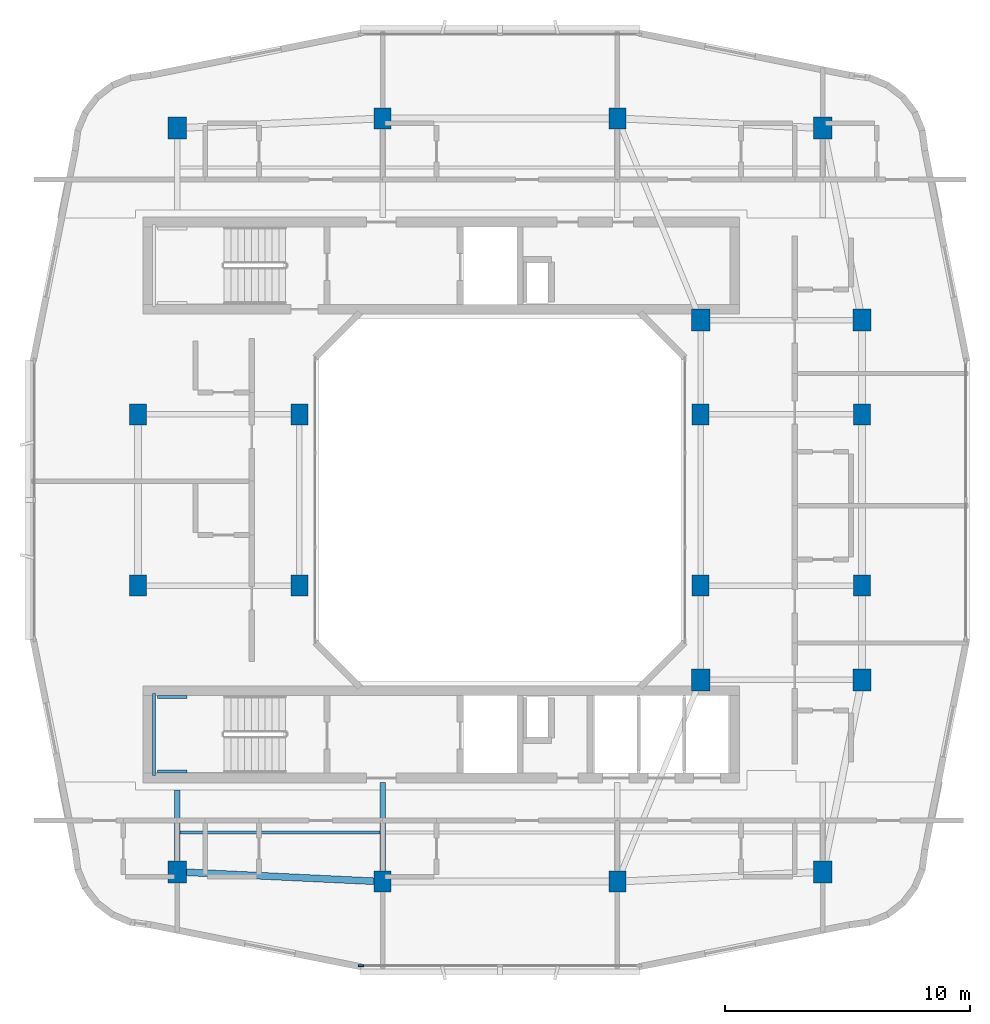
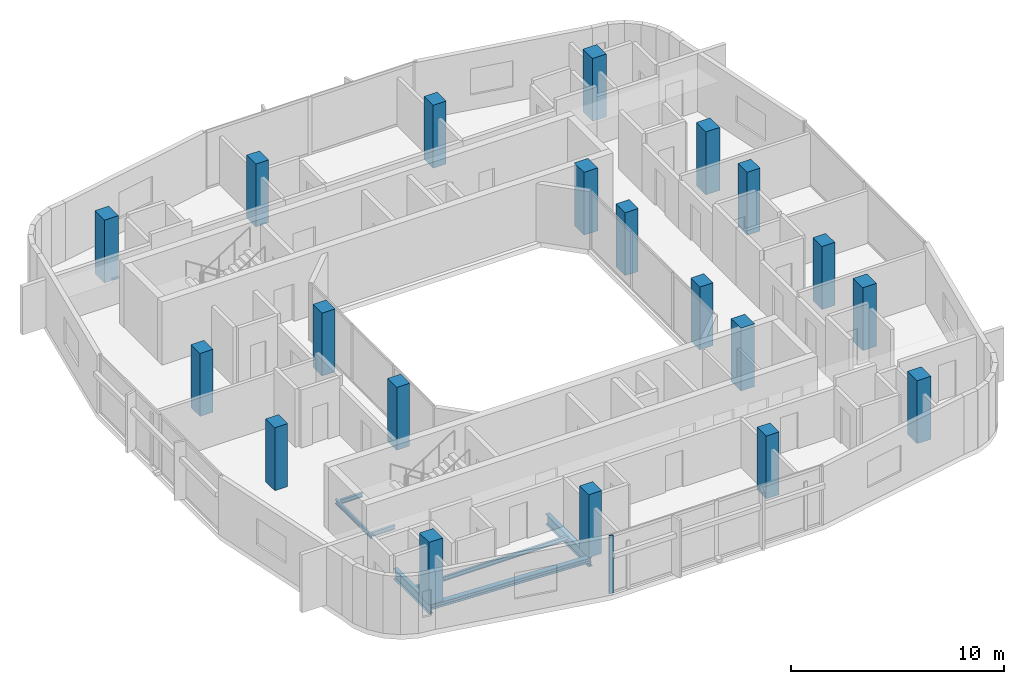
# One storey, part 1 of 14: 20 columns, 7 beams, 1 member, 1 element without a shape of its own.
"""IFC4 building model written with IfcOpenShell, lengths in metres."""

from ifc_helpers import new_model, si_unit, derived_unit, direction, frame, origin, origin_2d, place, context, subcontext, project, spatial, rectangle, i_section, extrude, material, layer, layer_set, material_profile, profile_set, type_object, element, aggregate, save


model = new_model("IFC4")

# Units and contexts
model_context = context("Model", 3, precision=1e-05, world=origin(), true_north=direction((0.0, 1.0)))
body_context = subcontext(model_context, "Body", "Model", "MODEL_VIEW")
ifc_project = project(units=[si_unit("LENGTHUNIT", "METRE"), si_unit("AREAUNIT", "SQUARE_METRE"), si_unit("VOLUMEUNIT", "CUBIC_METRE"), si_unit("PLANEANGLEUNIT", "RADIAN"), si_unit("MASSUNIT", "GRAM", prefix="KILO"), derived_unit("THERMALTRANSMITTANCEUNIT", [(si_unit("POWERUNIT", "WATT"), 1), (si_unit("LENGTHUNIT", "METRE"), -2), (si_unit("THERMODYNAMICTEMPERATUREUNIT", "KELVIN"), -1)])], contexts=[model_context])

# Site, building, storey
site_placement = place(None, origin())
site = spatial("IfcSite", under=ifc_project, at=site_placement, CompositionType="ELEMENT")
building_placement = place(site_placement, origin())
building = spatial("IfcBuilding", under=site, at=building_placement, Name="Kivonza Crest Hotel", CompositionType="ELEMENT")
storey_placement = place(building_placement, frame((0.0, 0.0, 227.89990234375)))
storey = spatial("IfcBuildingStorey", under=building, at=storey_placement, Name="L62", CompositionType="ELEMENT", Elevation=227.89990234375)

# Columns
ifc_material_1 = material(Name="Concrete C50/60", Category="concrete")
ifc_material_profile_1 = material_profile(ifc_material_1, rectangle(XDim=0.699951171875, YDim=0.85009765625, at=origin_2d()), Name="RC 850x700")
ifc_profile_set_1 = profile_set([ifc_material_profile_1], Name="Concrete C50/60")
column_type_1 = type_object("IfcColumnType", Name="CL-RC-850x700", PredefinedType="COLUMN", material=ifc_profile_set_1)
for number, where, z_axis, x_axis, name in (
    (1, (16.199951171875, 9.39990234375, 0.0), (0.0, 0.0, 1.0), (1.0, 0.0, 0.0), "Tower T1 L62 column S1"),
    (2, (25.800048828125, 9.39990234375, 0.0), (0.0, 0.0, 1.0), (1.0, 0.0, 0.0), "Tower T1 L62 column S2"),
    (3, (16.199951171875, 40.60009765625, 0.0), (0.0, 0.0, 1.0), (1.0, 0.0, 0.0), "Tower T1 L62 column N1"),
    (4, (25.800048828125, 40.60009765625, 0.0), (0.0, 0.0, 1.0), (1.0, 0.0, 0.0), "Tower T1 L62 column N2"),
    (5, (6.199951171875, 21.5, 0.0), (0.0, 0.0, 1.0), (1.0, 0.0, 0.0), "Tower T1 L62 column W1"),
    (6, (6.199951171875, 28.5, 0.0), (0.0, 0.0, 1.0), (1.0, 0.0, 0.0), "Tower T1 L62 column W2"),
    (7, (35.800048828125, 21.5, 0.0), (0.0, 0.0, 1.0), (1.0, 0.0, 0.0), "Tower T1 L62 column E1"),
    (8, (35.800048828125, 28.5, 0.0), (0.0, 0.0, 1.0), (1.0, 0.0, 0.0), "Tower T1 L62 column E2"),
    (9, (12.800048828125, 21.5, 0.0), (0.0, 0.0, 1.0), (1.0, 0.0, 0.0), "Tower T1 L62 column WL1"),
    (10, (12.800048828125, 28.5, 0.0), (0.0, 0.0, 1.0), (1.0, 0.0, 0.0), "Tower T1 L62 column WL2"),
    (11, (29.199951171875, 21.5, 0.0), (0.0, 0.0, 1.0), (1.0, 0.0, 0.0), "Tower T1 L62 column WR1"),
    (12, (29.199951171875, 28.5, 0.0), (0.0, 0.0, 1.0), (1.0, 0.0, 0.0), "Tower T1 L62 column WR2"),
):
    element("IfcColumn", number, at=place(storey_placement, frame(where, z_axis=z_axis, x_axis=x_axis)), inside=storey, type_object=column_type_1, Name=name, PredefinedType="COLUMN", context=body_context, shape_type="SweptSolid", body=[
        extrude(rectangle(XDim=0.699951171875, YDim=0.85009765625, at=origin_2d()), origin(), (0.0, 0.0, 1.0), 3.60009765625),
    ])
ifc_material_profile_2 = material_profile(ifc_material_1, rectangle(XDim=0.75, YDim=0.89990234375, at=origin_2d()), Name="RC 900x750")
ifc_profile_set_2 = profile_set([ifc_material_profile_2], Name="Concrete C50/60")
column_type_2 = type_object("IfcColumnType", Name="CL-RC-900x750", PredefinedType="COLUMN", material=ifc_profile_set_2)
for number, where, z_axis, x_axis, name in (
    (13, (7.800048828125, 9.800048828125, 0.0), (0.0, 0.0, 1.0), (1.0, 0.0, 0.0), "Tower T1 L62 column SW"),
    (14, (34.199951171875, 9.800048828125, 0.0), (0.0, 0.0, 1.0), (1.0, 0.0, 0.0), "Tower T1 L62 column SE"),
    (15, (34.199951171875, 40.199951171875, 0.0), (0.0, 0.0, 1.0), (1.0, 0.0, 0.0), "Tower T1 L62 column NE"),
    (16, (7.800048828125, 40.199951171875, 0.0), (0.0, 0.0, 1.0), (1.0, 0.0, 0.0), "Tower T1 L62 column NW"),
    (17, (35.800048828125, 17.64990234375, 0.0), (0.0, 0.0, 1.0), (1.0, 0.0, 0.0), "Tower T1 L62 column PSE"),
    (18, (35.800048828125, 32.35009765625, 0.0), (0.0, 0.0, 1.0), (1.0, 0.0, 0.0), "Tower T1 L62 column PNE"),
    (19, (29.199951171875, 17.64990234375, 0.0), (0.0, 0.0, 1.0), (1.0, 0.0, 0.0), "Tower T1 L62 column TSE"),
    (20, (29.199951171875, 32.35009765625, 0.0), (0.0, 0.0, 1.0), (1.0, 0.0, 0.0), "Tower T1 L62 column TNE"),
):
    element("IfcColumn", number, at=place(storey_placement, frame(where, z_axis=z_axis, x_axis=x_axis)), inside=storey, type_object=column_type_2, Name=name, PredefinedType="COLUMN", context=body_context, shape_type="SweptSolid", body=[
        extrude(rectangle(XDim=0.75, YDim=0.89990234375, at=origin_2d()), origin(), (0.0, 0.0, 1.0), 3.60009765625),
    ])

# Beams
ifc_material_2 = material(Name="Steel S355", Category="steel")
ifc_material_profile_3 = material_profile(ifc_material_2, i_section(OverallWidth=0.280029296875, OverallDepth=0.280029296875, WebThickness=0.010498046875, FlangeThickness=0.01806640625, FilletRadius=0.02392578125, at=origin_2d()), Name="HEB 280")
ifc_profile_set_3 = profile_set([ifc_material_profile_3], Name="Steel S355")
beam_type_1 = type_object("IfcBeamType", Name="BM-HEB280", PredefinedType="SPANDREL", material=ifc_profile_set_3)
beam_1_placement = place(storey_placement, frame((7.800048828125, 9.800048828125, -0.419921875), z_axis=(0.998867283688, -0.047583080799, 0.0), x_axis=(0.047583080799, 0.998867283688, 0.0)))
element("IfcBeam", 21, at=beam_1_placement, inside=storey, type_object=beam_type_1, Name="Tower T1 L62 perimeter spandrel SW-S1", PredefinedType="SPANDREL", context=body_context, shape_type="SweptSolid", body=[
    extrude(i_section(OverallWidth=0.280029296875, OverallDepth=0.280029296875, WebThickness=0.010498046875, FlangeThickness=0.01806640625, FilletRadius=0.02392578125, at=origin_2d()), origin(), (0.0, 0.0, 1.0), 8.409423828125),
])
ifc_material_profile_4 = material_profile(ifc_material_2, i_section(OverallWidth=0.1201171875, OverallDepth=0.239990234375, WebThickness=0.006103515625, FlangeThickness=0.009765625, FilletRadius=0.014892578125, at=origin_2d()), Name="IPE 240")
ifc_profile_set_4 = profile_set([ifc_material_profile_4], Name="Steel S355")
beam_type_2 = type_object("IfcBeamType", Name="BM-IPE240", PredefinedType="JOIST", material=ifc_profile_set_4)
beam_2_placement = place(storey_placement, frame((7.8798828125, 11.39990234375, -0.39990234375), z_axis=(1.0, 0.0, 0.0), x_axis=(0.0, 1.0, 0.0)))
element("IfcBeam", 22, at=beam_2_placement, inside=storey, type_object=beam_type_2, Name="Tower T1 L62 South-West floor joist", PredefinedType="JOIST", context=body_context, shape_type="SweptSolid", body=[
    extrude(i_section(OverallWidth=0.1201171875, OverallDepth=0.239990234375, WebThickness=0.006103515625, FlangeThickness=0.009765625, FilletRadius=0.014892578125, at=origin_2d()), origin(), (0.0, 0.0, 1.0), 8.240234375),
])
ifc_material_profile_5 = material_profile(ifc_material_2, i_section(OverallWidth=0.219970703125, OverallDepth=0.60009765625, WebThickness=0.011962890625, FlangeThickness=0.01904296875, FilletRadius=0.02392578125, at=origin_2d()), Name="IPE 600")
ifc_profile_set_5 = profile_set([ifc_material_profile_5], Name="Steel S355")
beam_type_3 = type_object("IfcBeamType", Name="BM-IPE600", PredefinedType="BEAM", material=ifc_profile_set_5)
beam_3_placement = place(storey_placement, frame((7.800048828125, 9.800048828125, -0.579833984375), z_axis=(0.0, 1.0, 0.0), x_axis=(-1.0, 0.0, 0.0)))
element("IfcBeam", 23, at=beam_3_placement, inside=storey, type_object=beam_type_3, Name="Tower T1 L62 radial core girder RSW", PredefinedType="BEAM", context=body_context, shape_type="SweptSolid", body=[
    extrude(i_section(OverallWidth=0.219970703125, OverallDepth=0.60009765625, WebThickness=0.011962890625, FlangeThickness=0.01904296875, FilletRadius=0.02392578125, at=origin_2d()), origin(), (0.0, 0.0, 1.0), 3.349853515625),
])
beam_4_placement = place(storey_placement, frame((16.199951171875, 9.39990234375, -0.579833984375), z_axis=(0.0, 1.0, 0.0), x_axis=(-1.0, 0.0, 0.0)))
element("IfcBeam", 24, at=beam_4_placement, inside=storey, type_object=beam_type_3, Name="Tower T1 L62 radial core girder RS1", PredefinedType="BEAM", context=body_context, shape_type="SweptSolid", body=[
    extrude(i_section(OverallWidth=0.219970703125, OverallDepth=0.60009765625, WebThickness=0.011962890625, FlangeThickness=0.01904296875, FilletRadius=0.02392578125, at=origin_2d()), origin(), (0.0, 0.0, 1.0), 4.050048828125),
])
ifc_material_profile_6 = material_profile(ifc_material_2, i_section(OverallWidth=0.1201171875, OverallDepth=0.239990234375, WebThickness=0.006103515625, FlangeThickness=0.009765625, FilletRadius=0.014892578125, at=origin_2d()), Name="IPE 240")
ifc_profile_set_6 = profile_set([ifc_material_profile_6], Name="Steel S355")
beam_type_4 = type_object("IfcBeamType", Name="BM-LLDG-240", PredefinedType="BEAM", material=ifc_profile_set_6)
beam_5_placement = place(storey_placement, frame((6.860107421875, 13.739990234375, 1.47998046875), z_axis=(0.0, 1.0, 0.0), x_axis=(-1.0, 0.0, 0.0)))
element("IfcBeam", 25, at=beam_5_placement, inside=storey, type_object=beam_type_4, Name="Stair ST-T1-S L62 West landing corbel", PredefinedType="BEAM", context=body_context, shape_type="SweptSolid", body=[
    extrude(i_section(OverallWidth=0.1201171875, OverallDepth=0.239990234375, WebThickness=0.006103515625, FlangeThickness=0.009765625, FilletRadius=0.014892578125, at=origin_2d()), origin(), (0.0, 0.0, 1.0), 3.360107421875),
])
for number, where, z_axis, x_axis, name in (
    (26, (6.989990234375, 13.89990234375, 1.47998046875), (1.0, 0.0, 0.0), (0.0, 1.0, 0.0), "Stair ST-T1-S L62 South landing corbel"),
    (27, (6.989990234375, 16.93994140625, 1.47998046875), (1.0, 0.0, 0.0), (0.0, 1.0, 0.0), "Stair ST-T1-S L62 North landing corbel"),
):
    element("IfcBeam", number, at=place(storey_placement, frame(where, z_axis=z_axis, x_axis=x_axis)), inside=storey, type_object=beam_type_4, Name=name, PredefinedType="BEAM", context=body_context, shape_type="SweptSolid", body=[
        extrude(i_section(OverallWidth=0.1201171875, OverallDepth=0.239990234375, WebThickness=0.006103515625, FlangeThickness=0.009765625, FilletRadius=0.014892578125, at=origin_2d()), origin(), (0.0, 0.0, 1.0), 1.2099609375),
    ])

# Curtain wall, member
ifc_material_3 = material(Name="Anodised bronze aluminium and low-E double glazing", Category="aluminium")
ifc_layer = layer(ifc_material_3, 0.179931640625)
ifc_layer_set = layer_set([ifc_layer], Name="Anodised bronze aluminium and low-E double glazing")
curtain_wall_type = type_object("IfcCurtainWallType", Name="CW-SYS-3", PredefinedType="NOTDEFINED", material=ifc_layer_set)
curtain_wall_placement = place(storey_placement, origin())
curtain_wall = element("IfcCurtainWall", 28, at=curtain_wall_placement, inside=storey, type_object=curtain_wall_type, Name="L62 unitised curtain wall CW-T1-L62-08", PredefinedType="NOTDEFINED")
ifc_material_4 = material(Name="Anodised bronze aluminium", Category="aluminium")
ifc_material_profile_7 = material_profile(ifc_material_4, rectangle(XDim=0.074951171875, YDim=0.219970703125, at=origin_2d()), Name="CW-M 75x220")
ifc_profile_set_7 = profile_set([ifc_material_profile_7], Name="Anodised bronze aluminium")
member_type = type_object("IfcMemberType", Name="CW-MUL-75x220", PredefinedType="MULLION", material=ifc_profile_set_7)
member_placement = place(storey_placement, frame((15.3173828125, 5.9599609375, 0.0), z_axis=(0.0, 0.0, 1.0), x_axis=(0.0, 1.0, 0.0)))
member = element("IfcMember", 29, at=member_placement, type_object=member_type, Name="CW-3 mullion 1", PredefinedType="MULLION", context=body_context, shape_type="SweptSolid", body=[
    extrude(rectangle(XDim=0.074951171875, YDim=0.219970703125, at=origin_2d()), origin(), (0.0, 0.0, 1.0), 3.320068359375),
])
aggregate(curtain_wall, [member])

save(model, "model.ifc")
